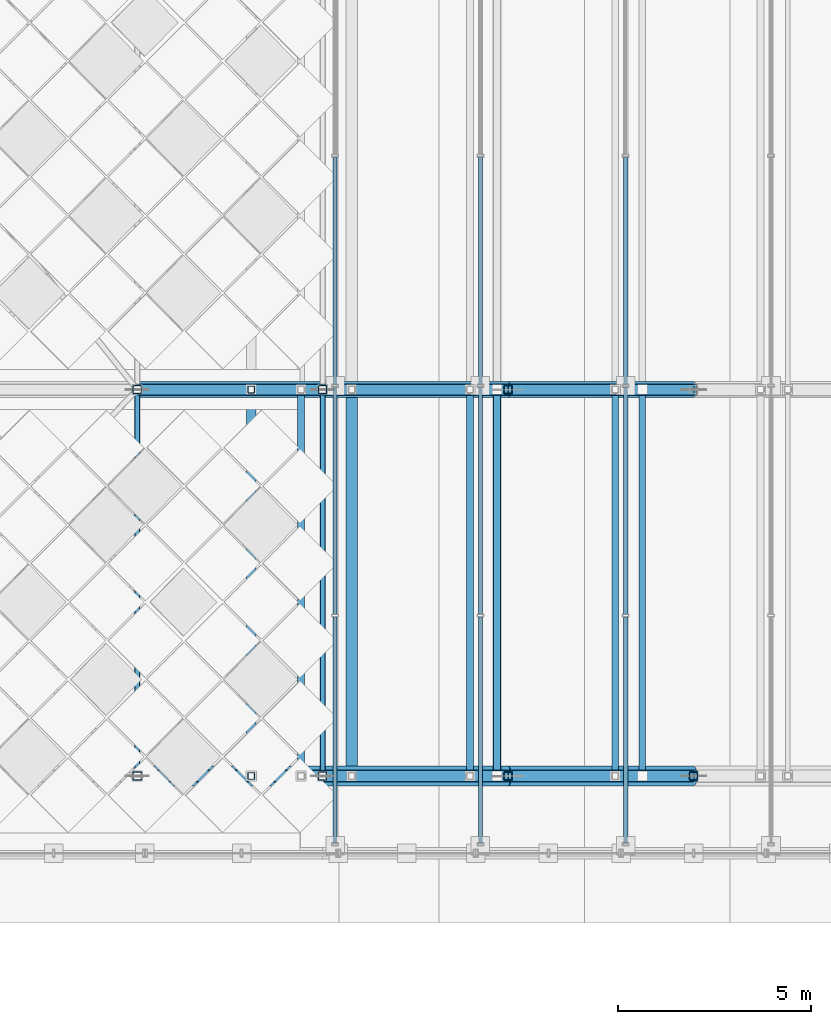
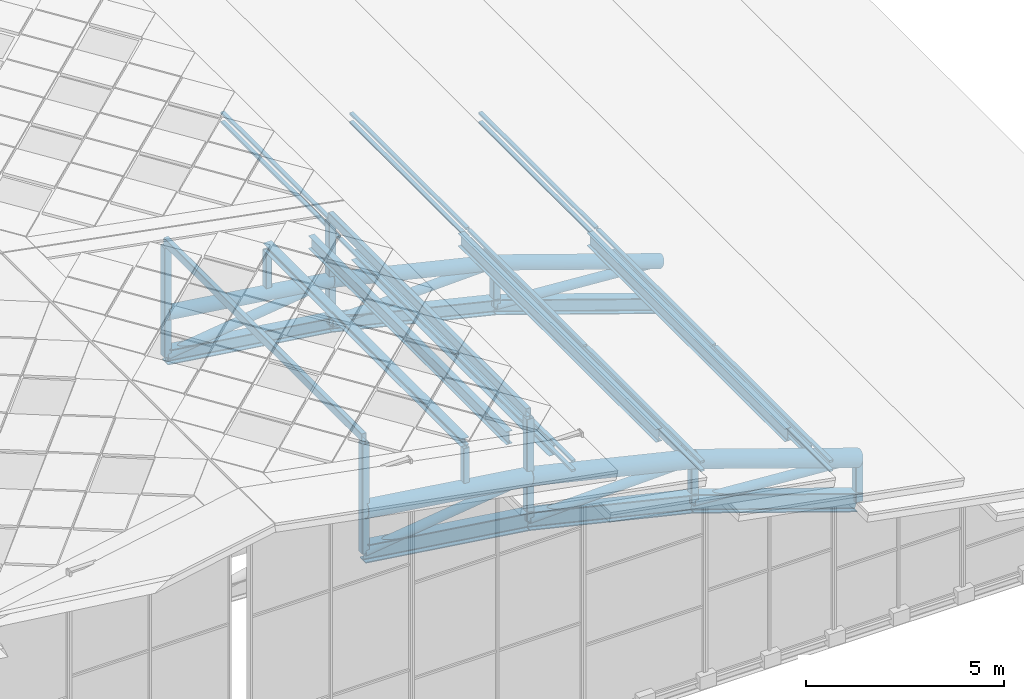
# One storey, part 10 of 117: 54 members, 3 elements without a shape of their own.
"""IFC4 building model written with IfcOpenShell, lengths in metres."""

from ifc_helpers import new_model, si_unit, direction, frame, origin, origin_2d, place, context, subcontext, project, spatial, hollow_rectangle, hollow_circle, i_section, extrude, material, material_profile, profile_set, type_object, element, aggregate, save


model = new_model("IFC4")

# Units and contexts
model_context = context("Model", 3, precision=1e-05, world=origin(), true_north=direction((0.0, 1.0)))
body_context = subcontext(model_context, "Body", "Model", "MODEL_VIEW")
ifc_project = project(units=[si_unit("LENGTHUNIT", "METRE"), si_unit("AREAUNIT", "SQUARE_METRE"), si_unit("VOLUMEUNIT", "CUBIC_METRE"), si_unit("PLANEANGLEUNIT", "RADIAN"), si_unit("MASSUNIT", "GRAM", prefix="KILO")], contexts=[model_context])

# Site, building, storey
site_placement = place(None, origin())
site = spatial("IfcSite", under=ifc_project, at=site_placement, CompositionType="ELEMENT")
building_placement = place(site_placement, origin())
building = spatial("IfcBuilding", under=site, at=building_placement, Name="Merenkruunu Market Hall", CompositionType="ELEMENT")
storey_placement = place(building_placement, frame((0.0, 0.0, 22.800048828125)))
storey = spatial("IfcBuildingStorey", under=building, at=storey_placement, Name="RF", CompositionType="ELEMENT", Elevation=22.800048828125)

# Members
ifc_material_1 = material(Name="Steel S355ML", Category="steel")
ifc_material_profile_1 = material_profile(ifc_material_1, hollow_circle(Radius=0.25390625, WallThickness=0.02001953125, at=origin_2d()), Name="CHS 508x20")
ifc_profile_set_1 = profile_set([ifc_material_profile_1], Name="Steel S355ML")
member_type_1 = type_object("IfcMemberType", Name="Arch Truss Chord TC01", PredefinedType="CHORD", material=ifc_profile_set_1)
member_1_placement = place(storey_placement, frame((33.60009765625, 17.60009765625, -1.66796875), z_axis=(0.99033759622, 0.0, -0.138677487406), x_axis=(0.0, 1.0, 0.0)))
element("IfcMember", 1, at=member_1_placement, inside=storey, type_object=member_type_1, Name="TRUSS-AT-1-TOP-08", PredefinedType="CHORD", context=body_context, shape_type="SweptSolid", body=[
    extrude(hollow_circle(Radius=0.25390625, WallThickness=0.02001953125, at=origin_2d()), origin(), (0.0, 0.0, 1.0), 4.8466796875),
])
member_2_placement = place(storey_placement, frame((38.39990234375, 17.60009765625, -2.340087890625), z_axis=(0.972941974064, 0.0, -0.231049594471), x_axis=(0.0, 1.0, 0.0)))
element("IfcMember", 2, at=member_2_placement, inside=storey, type_object=member_type_1, Name="TRUSS-AT-1-TOP-09", PredefinedType="CHORD", context=body_context, shape_type="SweptSolid", body=[
    extrude(hollow_circle(Radius=0.25390625, WallThickness=0.02001953125, at=origin_2d()), origin(), (0.0, 0.0, 1.0), 4.93359375),
])
member_3_placement = place(storey_placement, frame((43.199951171875, 17.60009765625, -3.47998046875), z_axis=(0.946224865418, 0.0, -0.323509666107), x_axis=(0.0, 1.0, 0.0)))
element("IfcMember", 3, at=member_3_placement, inside=storey, type_object=member_type_1, Name="TRUSS-AT-1-TOP-10", PredefinedType="CHORD", context=body_context, shape_type="SweptSolid", body=[
    extrude(hollow_circle(Radius=0.25390625, WallThickness=0.02001953125, at=origin_2d()), origin(), (0.0, 0.0, 1.0), 5.07275390625),
])
ifc_material_profile_2 = material_profile(ifc_material_1, hollow_circle(Radius=0.203125, WallThickness=0.01611328125, at=origin_2d()), Name="CHS 406.4x16")
ifc_profile_set_2 = profile_set([ifc_material_profile_2], Name="Steel S355ML")
member_type_2 = type_object("IfcMemberType", Name="Arch Truss Chord TC02", PredefinedType="CHORD", material=ifc_profile_set_2)
member_4_placement = place(storey_placement, frame((33.60009765625, 27.60009765625, -1.66796875), z_axis=(0.99033759622, 0.0, -0.138677487406), x_axis=(0.0, 1.0, 0.0)))
element("IfcMember", 4, at=member_4_placement, inside=storey, type_object=member_type_2, Name="TRUSS-AT-2-TOP-08", PredefinedType="CHORD", context=body_context, shape_type="SweptSolid", body=[
    extrude(hollow_circle(Radius=0.203125, WallThickness=0.01611328125, at=origin_2d()), origin(), (0.0, 0.0, 1.0), 4.8466796875),
])
member_5_placement = place(storey_placement, frame((38.39990234375, 27.60009765625, -2.340087890625), z_axis=(0.972941974064, 0.0, -0.231049594471), x_axis=(0.0, 1.0, 0.0)))
element("IfcMember", 5, at=member_5_placement, inside=storey, type_object=member_type_2, Name="TRUSS-AT-2-TOP-09", PredefinedType="CHORD", context=body_context, shape_type="SweptSolid", body=[
    extrude(hollow_circle(Radius=0.203125, WallThickness=0.01611328125, at=origin_2d()), origin(), (0.0, 0.0, 1.0), 4.93359375),
])
member_6_placement = place(storey_placement, frame((43.199951171875, 27.60009765625, -3.47998046875), z_axis=(0.946224865418, 0.0, -0.323509666107), x_axis=(0.0, 1.0, 0.0)))
element("IfcMember", 6, at=member_6_placement, inside=storey, type_object=member_type_2, Name="TRUSS-AT-2-TOP-10", PredefinedType="CHORD", context=body_context, shape_type="SweptSolid", body=[
    extrude(hollow_circle(Radius=0.203125, WallThickness=0.01611328125, at=origin_2d()), origin(), (0.0, 0.0, 1.0), 5.07275390625),
])
ifc_material_profile_3 = material_profile(ifc_material_1, i_section(OverallWidth=0.300048828125, OverallDepth=0.550048828125, WebThickness=0.014892578125, FlangeThickness=0.029052734375, FilletRadius=0.027099609375, at=origin_2d()), Name="HEB 550")
ifc_profile_set_3 = profile_set([ifc_material_profile_3], Name="Steel S355ML")
member_type_3 = type_object("IfcMemberType", Name="Arch Truss Chord TC03", PredefinedType="CHORD", material=ifc_profile_set_3)
member_7_placement = place(storey_placement, frame((33.60009765625, 17.60009765625, -2.968017578125), z_axis=(0.99033759622, 0.0, -0.138677487406), x_axis=(0.0, 1.0, 0.0)))
element("IfcMember", 7, at=member_7_placement, inside=storey, type_object=member_type_3, Name="TRUSS-AT-1-BOT-08", PredefinedType="CHORD", context=body_context, shape_type="SweptSolid", body=[
    extrude(i_section(OverallWidth=0.300048828125, OverallDepth=0.550048828125, WebThickness=0.014892578125, FlangeThickness=0.029052734375, FilletRadius=0.027099609375, at=origin_2d()), origin(), (0.0, 0.0, 1.0), 4.8466796875),
])
member_8_placement = place(storey_placement, frame((38.39990234375, 17.60009765625, -3.64013671875), z_axis=(0.972941974064, 0.0, -0.231049594471), x_axis=(0.0, 1.0, 0.0)))
element("IfcMember", 8, at=member_8_placement, inside=storey, type_object=member_type_3, Name="TRUSS-AT-1-BOT-09", PredefinedType="CHORD", context=body_context, shape_type="SweptSolid", body=[
    extrude(i_section(OverallWidth=0.300048828125, OverallDepth=0.550048828125, WebThickness=0.014892578125, FlangeThickness=0.029052734375, FilletRadius=0.027099609375, at=origin_2d()), origin(), (0.0, 0.0, 1.0), 4.93359375),
])
member_9_placement = place(storey_placement, frame((43.199951171875, 17.60009765625, -4.780029296875), z_axis=(0.946224865418, 0.0, -0.323509666107), x_axis=(0.0, 1.0, 0.0)))
element("IfcMember", 9, at=member_9_placement, inside=storey, type_object=member_type_3, Name="TRUSS-AT-1-BOT-10", PredefinedType="CHORD", context=body_context, shape_type="SweptSolid", body=[
    extrude(i_section(OverallWidth=0.300048828125, OverallDepth=0.550048828125, WebThickness=0.014892578125, FlangeThickness=0.029052734375, FilletRadius=0.027099609375, at=origin_2d()), origin(), (0.0, 0.0, 1.0), 5.07275390625),
])
ifc_material_profile_4 = material_profile(ifc_material_1, i_section(OverallWidth=0.300048828125, OverallDepth=0.449951171875, WebThickness=0.013916015625, FlangeThickness=0.02587890625, FilletRadius=0.027099609375, at=origin_2d()), Name="HEB 450")
ifc_profile_set_4 = profile_set([ifc_material_profile_4], Name="Steel S355ML")
member_type_4 = type_object("IfcMemberType", Name="Arch Truss Chord TC04", PredefinedType="CHORD", material=ifc_profile_set_4)
member_10_placement = place(storey_placement, frame((33.60009765625, 27.60009765625, -2.968017578125), z_axis=(0.99033759622, 0.0, -0.138677487406), x_axis=(0.0, 1.0, 0.0)))
element("IfcMember", 10, at=member_10_placement, inside=storey, type_object=member_type_4, Name="TRUSS-AT-2-BOT-08", PredefinedType="CHORD", context=body_context, shape_type="SweptSolid", body=[
    extrude(i_section(OverallWidth=0.300048828125, OverallDepth=0.449951171875, WebThickness=0.013916015625, FlangeThickness=0.02587890625, FilletRadius=0.027099609375, at=origin_2d()), origin(), (0.0, 0.0, 1.0), 4.8466796875),
])
member_11_placement = place(storey_placement, frame((38.39990234375, 27.60009765625, -3.64013671875), z_axis=(0.972941974064, 0.0, -0.231049594471), x_axis=(0.0, 1.0, 0.0)))
element("IfcMember", 11, at=member_11_placement, inside=storey, type_object=member_type_4, Name="TRUSS-AT-2-BOT-09", PredefinedType="CHORD", context=body_context, shape_type="SweptSolid", body=[
    extrude(i_section(OverallWidth=0.300048828125, OverallDepth=0.449951171875, WebThickness=0.013916015625, FlangeThickness=0.02587890625, FilletRadius=0.027099609375, at=origin_2d()), origin(), (0.0, 0.0, 1.0), 4.93359375),
])
member_12_placement = place(storey_placement, frame((43.199951171875, 27.60009765625, -4.780029296875), z_axis=(0.946224865418, 0.0, -0.323509666107), x_axis=(0.0, 1.0, 0.0)))
element("IfcMember", 12, at=member_12_placement, inside=storey, type_object=member_type_4, Name="TRUSS-AT-2-BOT-10", PredefinedType="CHORD", context=body_context, shape_type="SweptSolid", body=[
    extrude(i_section(OverallWidth=0.300048828125, OverallDepth=0.449951171875, WebThickness=0.013916015625, FlangeThickness=0.02587890625, FilletRadius=0.027099609375, at=origin_2d()), origin(), (0.0, 0.0, 1.0), 5.07275390625),
])

# Curtain wall, members
ifc_material_2 = material(Name="Powder-coated aluminium", Category="aluminium")
curtain_wall_type = type_object("IfcCurtainWallType", Name="Clerestory Curtain Band CL05", PredefinedType="USERDEFINED", material=ifc_material_2)
curtain_wall_1_placement = place(storey_placement, origin())
curtain_wall_1 = element("IfcCurtainWall", 13, at=curtain_wall_1_placement, inside=storey, type_object=curtain_wall_type, Name="CW-RF-CWM04-098", ObjectType="CLERESTORY_BAND", PredefinedType="USERDEFINED")
ifc_material_profile_5 = material_profile(ifc_material_2, hollow_rectangle(XDim=0.06005859375, YDim=0.110107421875, WallThickness=0.00390625, at=origin_2d()), Name="ALU 60x110x4")
ifc_profile_set_5 = profile_set([ifc_material_profile_5], Name="Powder-coated aluminium")
member_type_5 = type_object("IfcMemberType", Name="Curtain Wall Transom CWT03", PredefinedType="USERDEFINED", material=ifc_profile_set_5)
member_13_placement = place(storey_placement, frame((46.239990234375, 33.614990234375, -3.85205078125), z_axis=(0.0, -1.0, 0.0), x_axis=(0.0, 0.0, 1.0)))
member_13 = element("IfcMember", 14, at=member_13_placement, type_object=member_type_5, Name="CL05 transom 2.1", ObjectType="TRANSOM", PredefinedType="USERDEFINED", context=body_context, shape_type="SweptSolid", body=[
    extrude(hollow_rectangle(XDim=0.06005859375, YDim=0.110107421875, WallThickness=0.00390625, at=origin_2d()), origin(), (0.0, 0.0, 1.0), 5.8798828125),
])
member_14_placement = place(storey_placement, frame((46.239990234375, 33.614990234375, -3.56396484375), z_axis=(0.0, -1.0, 0.0), x_axis=(0.0, 0.0, 1.0)))
member_14 = element("IfcMember", 15, at=member_14_placement, type_object=member_type_5, Name="CL05 transom 2.2", ObjectType="TRANSOM", PredefinedType="USERDEFINED", context=body_context, shape_type="SweptSolid", body=[
    extrude(hollow_rectangle(XDim=0.06005859375, YDim=0.110107421875, WallThickness=0.00390625, at=origin_2d()), origin(), (0.0, 0.0, 1.0), 5.8798828125),
])
member_15_placement = place(storey_placement, frame((46.239990234375, 27.6650390625, -3.85205078125), z_axis=(0.0, -1.0, 0.0), x_axis=(0.0, 0.0, 1.0)))
member_15 = element("IfcMember", 16, at=member_15_placement, type_object=member_type_5, Name="CL05 transom 3.1", ObjectType="TRANSOM", PredefinedType="USERDEFINED", context=body_context, shape_type="SweptSolid", body=[
    extrude(hollow_rectangle(XDim=0.06005859375, YDim=0.110107421875, WallThickness=0.00390625, at=origin_2d()), origin(), (0.0, 0.0, 1.0), 5.880126953125),
])
member_16_placement = place(storey_placement, frame((46.239990234375, 27.6650390625, -3.56396484375), z_axis=(0.0, -1.0, 0.0), x_axis=(0.0, 0.0, 1.0)))
member_16 = element("IfcMember", 17, at=member_16_placement, type_object=member_type_5, Name="CL05 transom 3.2", ObjectType="TRANSOM", PredefinedType="USERDEFINED", context=body_context, shape_type="SweptSolid", body=[
    extrude(hollow_rectangle(XDim=0.06005859375, YDim=0.110107421875, WallThickness=0.00390625, at=origin_2d()), origin(), (0.0, 0.0, 1.0), 5.880126953125),
])
member_17_placement = place(storey_placement, frame((46.239990234375, 21.715087890625, -3.85205078125), z_axis=(0.0, -1.0, 0.0), x_axis=(0.0, 0.0, 1.0)))
member_17 = element("IfcMember", 18, at=member_17_placement, type_object=member_type_5, Name="CL05 transom 4.1", ObjectType="TRANSOM", PredefinedType="USERDEFINED", context=body_context, shape_type="SweptSolid", body=[
    extrude(hollow_rectangle(XDim=0.06005859375, YDim=0.110107421875, WallThickness=0.00390625, at=origin_2d()), origin(), (0.0, 0.0, 1.0), 5.844970703125),
])
member_18_placement = place(storey_placement, frame((46.239990234375, 21.715087890625, -3.56396484375), z_axis=(0.0, -1.0, 0.0), x_axis=(0.0, 0.0, 1.0)))
member_18 = element("IfcMember", 19, at=member_18_placement, type_object=member_type_5, Name="CL05 transom 4.2", ObjectType="TRANSOM", PredefinedType="USERDEFINED", context=body_context, shape_type="SweptSolid", body=[
    extrude(hollow_rectangle(XDim=0.06005859375, YDim=0.110107421875, WallThickness=0.00390625, at=origin_2d()), origin(), (0.0, 0.0, 1.0), 5.844970703125),
])
aggregate(curtain_wall_1, [member_13, member_14, member_15, member_16, member_17, member_18])

curtain_wall_2_placement = place(storey_placement, origin())
curtain_wall_2 = element("IfcCurtainWall", 20, at=curtain_wall_2_placement, inside=storey, type_object=curtain_wall_type, Name="CW-RF-CWM04-106", ObjectType="CLERESTORY_BAND", PredefinedType="USERDEFINED")
member_19_placement = place(storey_placement, frame((42.47998046875, 33.614990234375, -2.531982421875), z_axis=(0.0, -1.0, 0.0), x_axis=(0.0, 0.0, 1.0)))
member_19 = element("IfcMember", 21, at=member_19_placement, type_object=member_type_5, Name="CL05 transom 2.1", ObjectType="TRANSOM", PredefinedType="USERDEFINED", context=body_context, shape_type="SweptSolid", body=[
    extrude(hollow_rectangle(XDim=0.06005859375, YDim=0.110107421875, WallThickness=0.00390625, at=origin_2d()), origin(), (0.0, 0.0, 1.0), 5.8798828125),
])
member_20_placement = place(storey_placement, frame((42.47998046875, 33.614990234375, -2.26513671875), z_axis=(0.0, -1.0, 0.0), x_axis=(0.0, 0.0, 1.0)))
member_20 = element("IfcMember", 22, at=member_20_placement, type_object=member_type_5, Name="CL05 transom 2.2", ObjectType="TRANSOM", PredefinedType="USERDEFINED", context=body_context, shape_type="SweptSolid", body=[
    extrude(hollow_rectangle(XDim=0.06005859375, YDim=0.110107421875, WallThickness=0.00390625, at=origin_2d()), origin(), (0.0, 0.0, 1.0), 5.8798828125),
])
member_21_placement = place(storey_placement, frame((42.47998046875, 27.6650390625, -2.531982421875), z_axis=(0.0, -1.0, 0.0), x_axis=(0.0, 0.0, 1.0)))
member_21 = element("IfcMember", 23, at=member_21_placement, type_object=member_type_5, Name="CL05 transom 3.1", ObjectType="TRANSOM", PredefinedType="USERDEFINED", context=body_context, shape_type="SweptSolid", body=[
    extrude(hollow_rectangle(XDim=0.06005859375, YDim=0.110107421875, WallThickness=0.00390625, at=origin_2d()), origin(), (0.0, 0.0, 1.0), 5.880126953125),
])
member_22_placement = place(storey_placement, frame((42.47998046875, 27.6650390625, -2.26513671875), z_axis=(0.0, -1.0, 0.0), x_axis=(0.0, 0.0, 1.0)))
member_22 = element("IfcMember", 24, at=member_22_placement, type_object=member_type_5, Name="CL05 transom 3.2", ObjectType="TRANSOM", PredefinedType="USERDEFINED", context=body_context, shape_type="SweptSolid", body=[
    extrude(hollow_rectangle(XDim=0.06005859375, YDim=0.110107421875, WallThickness=0.00390625, at=origin_2d()), origin(), (0.0, 0.0, 1.0), 5.880126953125),
])
member_23_placement = place(storey_placement, frame((42.47998046875, 21.715087890625, -2.531982421875), z_axis=(0.0, -1.0, 0.0), x_axis=(0.0, 0.0, 1.0)))
member_23 = element("IfcMember", 25, at=member_23_placement, type_object=member_type_5, Name="CL05 transom 4.1", ObjectType="TRANSOM", PredefinedType="USERDEFINED", context=body_context, shape_type="SweptSolid", body=[
    extrude(hollow_rectangle(XDim=0.06005859375, YDim=0.110107421875, WallThickness=0.00390625, at=origin_2d()), origin(), (0.0, 0.0, 1.0), 5.844970703125),
])
member_24_placement = place(storey_placement, frame((42.47998046875, 21.715087890625, -2.26513671875), z_axis=(0.0, -1.0, 0.0), x_axis=(0.0, 0.0, 1.0)))
member_24 = element("IfcMember", 26, at=member_24_placement, type_object=member_type_5, Name="CL05 transom 4.2", ObjectType="TRANSOM", PredefinedType="USERDEFINED", context=body_context, shape_type="SweptSolid", body=[
    extrude(hollow_rectangle(XDim=0.06005859375, YDim=0.110107421875, WallThickness=0.00390625, at=origin_2d()), origin(), (0.0, 0.0, 1.0), 5.844970703125),
])
aggregate(curtain_wall_2, [member_19, member_20, member_21, member_22, member_23, member_24])

curtain_wall_3_placement = place(storey_placement, origin())
curtain_wall_3 = element("IfcCurtainWall", 27, at=curtain_wall_3_placement, inside=storey, type_object=curtain_wall_type, Name="CW-RF-CWM04-114", ObjectType="CLERESTORY_BAND", PredefinedType="USERDEFINED")
member_25_placement = place(storey_placement, frame((38.719970703125, 33.614990234375, -1.212158203125), z_axis=(0.0, -1.0, 0.0), x_axis=(0.0, 0.0, 1.0)))
member_25 = element("IfcMember", 28, at=member_25_placement, type_object=member_type_5, Name="CL05 transom 2.1", ObjectType="TRANSOM", PredefinedType="USERDEFINED", context=body_context, shape_type="SweptSolid", body=[
    extrude(hollow_rectangle(XDim=0.06005859375, YDim=0.110107421875, WallThickness=0.00390625, at=origin_2d()), origin(), (0.0, 0.0, 1.0), 5.8798828125),
])
member_26_placement = place(storey_placement, frame((38.719970703125, 33.614990234375, -0.924072265625), z_axis=(0.0, -1.0, 0.0), x_axis=(0.0, 0.0, 1.0)))
member_26 = element("IfcMember", 29, at=member_26_placement, type_object=member_type_5, Name="CL05 transom 2.2", ObjectType="TRANSOM", PredefinedType="USERDEFINED", context=body_context, shape_type="SweptSolid", body=[
    extrude(hollow_rectangle(XDim=0.06005859375, YDim=0.110107421875, WallThickness=0.00390625, at=origin_2d()), origin(), (0.0, 0.0, 1.0), 5.8798828125),
])
member_27_placement = place(storey_placement, frame((38.719970703125, 27.6650390625, -1.212158203125), z_axis=(0.0, -1.0, 0.0), x_axis=(0.0, 0.0, 1.0)))
member_27 = element("IfcMember", 30, at=member_27_placement, type_object=member_type_5, Name="CL05 transom 3.1", ObjectType="TRANSOM", PredefinedType="USERDEFINED", context=body_context, shape_type="SweptSolid", body=[
    extrude(hollow_rectangle(XDim=0.06005859375, YDim=0.110107421875, WallThickness=0.00390625, at=origin_2d()), origin(), (0.0, 0.0, 1.0), 5.880126953125),
])
member_28_placement = place(storey_placement, frame((38.719970703125, 27.6650390625, -0.924072265625), z_axis=(0.0, -1.0, 0.0), x_axis=(0.0, 0.0, 1.0)))
member_28 = element("IfcMember", 31, at=member_28_placement, type_object=member_type_5, Name="CL05 transom 3.2", ObjectType="TRANSOM", PredefinedType="USERDEFINED", context=body_context, shape_type="SweptSolid", body=[
    extrude(hollow_rectangle(XDim=0.06005859375, YDim=0.110107421875, WallThickness=0.00390625, at=origin_2d()), origin(), (0.0, 0.0, 1.0), 5.880126953125),
])
member_29_placement = place(storey_placement, frame((38.719970703125, 21.715087890625, -1.212158203125), z_axis=(0.0, -1.0, 0.0), x_axis=(0.0, 0.0, 1.0)))
member_29 = element("IfcMember", 32, at=member_29_placement, type_object=member_type_5, Name="CL05 transom 4.1", ObjectType="TRANSOM", PredefinedType="USERDEFINED", context=body_context, shape_type="SweptSolid", body=[
    extrude(hollow_rectangle(XDim=0.06005859375, YDim=0.110107421875, WallThickness=0.00390625, at=origin_2d()), origin(), (0.0, 0.0, 1.0), 5.844970703125),
])
member_30_placement = place(storey_placement, frame((38.719970703125, 21.715087890625, -0.924072265625), z_axis=(0.0, -1.0, 0.0), x_axis=(0.0, 0.0, 1.0)))
member_30 = element("IfcMember", 33, at=member_30_placement, type_object=member_type_5, Name="CL05 transom 4.2", ObjectType="TRANSOM", PredefinedType="USERDEFINED", context=body_context, shape_type="SweptSolid", body=[
    extrude(hollow_rectangle(XDim=0.06005859375, YDim=0.110107421875, WallThickness=0.00390625, at=origin_2d()), origin(), (0.0, 0.0, 1.0), 5.844970703125),
])
aggregate(curtain_wall_3, [member_25, member_26, member_27, member_28, member_29, member_30])

# Members
ifc_material_profile_6 = material_profile(ifc_material_1, hollow_circle(Radius=0.136474609375, WallThickness=0.012451171875, at=origin_2d()), Name="CHS 273x12.5")
ifc_profile_set_6 = profile_set([ifc_material_profile_6], Name="Steel S355ML")
member_type_6 = type_object("IfcMemberType", Name="Diagonal Sway Brace BR02", PredefinedType="BRACE", material=ifc_profile_set_6)
member_31_placement = place(storey_placement, frame((33.60009765625, 17.60009765625, -2.968017578125), z_axis=(0.99155084109, 0.0, 0.129718655304), x_axis=(0.0, 1.0, 0.0)))
element("IfcMember", 34, at=member_31_placement, inside=storey, type_object=member_type_6, Name="TRUSS-AT-1-DIAG-08", PredefinedType="BRACE", context=body_context, shape_type="SweptSolid", body=[
    extrude(hollow_circle(Radius=0.136474609375, WallThickness=0.012451171875, at=origin_2d()), origin(), (0.0, 0.0, 1.0), 4.8408203125),
])
member_32_placement = place(storey_placement, frame((38.39990234375, 17.60009765625, -3.64013671875), z_axis=(0.999443834494, 0.0, 0.033346989239), x_axis=(0.0, 1.0, 0.0)))
element("IfcMember", 35, at=member_32_placement, inside=storey, type_object=member_type_6, Name="TRUSS-AT-1-DIAG-09", PredefinedType="BRACE", context=body_context, shape_type="SweptSolid", body=[
    extrude(hollow_circle(Radius=0.136474609375, WallThickness=0.012451171875, at=origin_2d()), origin(), (0.0, 0.0, 1.0), 4.802734375),
])
member_33_placement = place(storey_placement, frame((43.199951171875, 17.60009765625, -4.780029296875), z_axis=(0.997485156704, 0.0, -0.070875680989), x_axis=(0.0, 1.0, 0.0)))
element("IfcMember", 36, at=member_33_placement, inside=storey, type_object=member_type_6, Name="TRUSS-AT-1-DIAG-10", PredefinedType="BRACE", context=body_context, shape_type="SweptSolid", body=[
    extrude(hollow_circle(Radius=0.136474609375, WallThickness=0.012451171875, at=origin_2d()), origin(), (0.0, 0.0, 1.0), 4.812255859375),
])
member_34_placement = place(storey_placement, frame((33.60009765625, 27.60009765625, -2.968017578125), z_axis=(0.99155084109, 0.0, 0.129718655304), x_axis=(0.0, 1.0, 0.0)))
element("IfcMember", 37, at=member_34_placement, inside=storey, type_object=member_type_6, Name="TRUSS-AT-2-DIAG-08", PredefinedType="BRACE", context=body_context, shape_type="SweptSolid", body=[
    extrude(hollow_circle(Radius=0.136474609375, WallThickness=0.012451171875, at=origin_2d()), origin(), (0.0, 0.0, 1.0), 4.8408203125),
])
member_35_placement = place(storey_placement, frame((38.39990234375, 27.60009765625, -3.64013671875), z_axis=(0.999443834494, 0.0, 0.033346989239), x_axis=(0.0, 1.0, 0.0)))
element("IfcMember", 38, at=member_35_placement, inside=storey, type_object=member_type_6, Name="TRUSS-AT-2-DIAG-09", PredefinedType="BRACE", context=body_context, shape_type="SweptSolid", body=[
    extrude(hollow_circle(Radius=0.136474609375, WallThickness=0.012451171875, at=origin_2d()), origin(), (0.0, 0.0, 1.0), 4.802734375),
])
member_36_placement = place(storey_placement, frame((43.199951171875, 27.60009765625, -4.780029296875), z_axis=(0.997485156704, 0.0, -0.070875680989), x_axis=(0.0, 1.0, 0.0)))
element("IfcMember", 39, at=member_36_placement, inside=storey, type_object=member_type_6, Name="TRUSS-AT-2-DIAG-10", PredefinedType="BRACE", context=body_context, shape_type="SweptSolid", body=[
    extrude(hollow_circle(Radius=0.136474609375, WallThickness=0.012451171875, at=origin_2d()), origin(), (0.0, 0.0, 1.0), 4.812255859375),
])
ifc_material_3 = material(Name="Steel S355J2", Category="steel")
ifc_material_profile_7 = material_profile(ifc_material_3, hollow_rectangle(XDim=0.219970703125, YDim=0.219970703125, WallThickness=0.012451171875, InnerFilletRadius=0.012451171875, OuterFilletRadius=0.02490234375, at=origin_2d()), Name="SHS 220x220x12.5")
ifc_profile_set_7 = profile_set([ifc_material_profile_7], Name="Steel S355J2")
member_type_7 = type_object("IfcMemberType", Name="Diagonal Sway Brace BR04", PredefinedType="BRACE", material=ifc_profile_set_7)
member_37_placement = place(storey_placement, frame((33.60009765625, 17.60009765625, -2.968017578125), z_axis=(0.0, 0.0, 1.0), x_axis=(1.0, 0.0, 0.0)))
element("IfcMember", 40, at=member_37_placement, inside=storey, type_object=member_type_7, Name="TRUSS-AT-1-POST-07", PredefinedType="BRACE", context=body_context, shape_type="SweptSolid", body=[
    extrude(hollow_rectangle(XDim=0.219970703125, YDim=0.219970703125, WallThickness=0.012451171875, InnerFilletRadius=0.012451171875, OuterFilletRadius=0.02490234375, at=origin_2d()), origin(), (0.0, 0.0, 1.0), 3.3720703125),
])
member_38_placement = place(storey_placement, frame((38.39990234375, 17.60009765625, -3.64013671875), z_axis=(0.0, 0.0, 1.0), x_axis=(1.0, 0.0, 0.0)))
element("IfcMember", 41, at=member_38_placement, inside=storey, type_object=member_type_7, Name="TRUSS-AT-1-POST-08", PredefinedType="BRACE", context=body_context, shape_type="SweptSolid", body=[
    extrude(hollow_rectangle(XDim=0.219970703125, YDim=0.219970703125, WallThickness=0.012451171875, InnerFilletRadius=0.012451171875, OuterFilletRadius=0.02490234375, at=origin_2d()), origin(), (0.0, 0.0, 1.0), 3.1416015625),
])
for number, where, z_axis, x_axis, name in (
    (42, (43.199951171875, 17.60009765625, -4.780029296875), (0.0, 0.0, 1.0), (1.0, 0.0, 0.0), "TRUSS-AT-1-POST-09"),
    (43, (48.0, 17.60009765625, -6.421142578125), (0.0, 0.0, 1.0), (1.0, 0.0, 0.0), "TRUSS-AT-1-POST-10"),
):
    element("IfcMember", number, at=place(storey_placement, frame(where, z_axis=z_axis, x_axis=x_axis)), inside=storey, type_object=member_type_7, Name=name, PredefinedType="BRACE", context=body_context, shape_type="SweptSolid", body=[
        extrude(hollow_rectangle(XDim=0.219970703125, YDim=0.219970703125, WallThickness=0.012451171875, InnerFilletRadius=0.012451171875, OuterFilletRadius=0.02490234375, at=origin_2d()), origin(), (0.0, 0.0, 1.0), 1.300048828125),
    ])
member_39_placement = place(storey_placement, frame((33.60009765625, 27.60009765625, -2.968017578125), z_axis=(0.0, 0.0, 1.0), x_axis=(1.0, 0.0, 0.0)))
element("IfcMember", 44, at=member_39_placement, inside=storey, type_object=member_type_7, Name="TRUSS-AT-2-POST-07", PredefinedType="BRACE", context=body_context, shape_type="SweptSolid", body=[
    extrude(hollow_rectangle(XDim=0.219970703125, YDim=0.219970703125, WallThickness=0.012451171875, InnerFilletRadius=0.012451171875, OuterFilletRadius=0.02490234375, at=origin_2d()), origin(), (0.0, 0.0, 1.0), 3.3720703125),
])
member_40_placement = place(storey_placement, frame((38.39990234375, 27.60009765625, -3.64013671875), z_axis=(0.0, 0.0, 1.0), x_axis=(1.0, 0.0, 0.0)))
element("IfcMember", 45, at=member_40_placement, inside=storey, type_object=member_type_7, Name="TRUSS-AT-2-POST-08", PredefinedType="BRACE", context=body_context, shape_type="SweptSolid", body=[
    extrude(hollow_rectangle(XDim=0.219970703125, YDim=0.219970703125, WallThickness=0.012451171875, InnerFilletRadius=0.012451171875, OuterFilletRadius=0.02490234375, at=origin_2d()), origin(), (0.0, 0.0, 1.0), 3.1416015625),
])
member_41_placement = place(storey_placement, frame((43.199951171875, 27.60009765625, -4.780029296875), z_axis=(0.0, 0.0, 1.0), x_axis=(1.0, 0.0, 0.0)))
element("IfcMember", 46, at=member_41_placement, inside=storey, type_object=member_type_7, Name="TRUSS-AT-2-POST-09", PredefinedType="BRACE", context=body_context, shape_type="SweptSolid", body=[
    extrude(hollow_rectangle(XDim=0.219970703125, YDim=0.219970703125, WallThickness=0.012451171875, InnerFilletRadius=0.012451171875, OuterFilletRadius=0.02490234375, at=origin_2d()), origin(), (0.0, 0.0, 1.0), 1.300048828125),
])
ifc_material_profile_8 = material_profile(ifc_material_3, hollow_rectangle(XDim=0.179931640625, YDim=0.179931640625, WallThickness=0.010009765625, InnerFilletRadius=0.010009765625, OuterFilletRadius=0.02001953125, at=origin_2d()), Name="SHS 180x180x10")
ifc_profile_set_8 = profile_set([ifc_material_profile_8], Name="Steel S355J2")
member_type_8 = type_object("IfcMemberType", Name="Diagonal Sway Brace BR05", PredefinedType="BRACE", material=ifc_profile_set_8)
member_42_placement = place(storey_placement, frame((36.550048828125, 17.60009765625, -1.839111328125), z_axis=(0.0, 0.0, 1.0), x_axis=(1.0, 0.0, 0.0)))
element("IfcMember", 47, at=member_42_placement, inside=storey, type_object=member_type_8, Name="TRUSS-AT-1-RISER-E6-2", PredefinedType="BRACE", context=body_context, shape_type="SweptSolid", body=[
    extrude(hollow_rectangle(XDim=0.179931640625, YDim=0.179931640625, WallThickness=0.010009765625, InnerFilletRadius=0.010009765625, OuterFilletRadius=0.02001953125, at=origin_2d()), origin(), (0.0, 0.0, 1.0), 1.07763671875),
])
member_43_placement = place(storey_placement, frame((36.550048828125, 27.60009765625, -1.889892578125), z_axis=(0.0, 0.0, 1.0), x_axis=(1.0, 0.0, 0.0)))
element("IfcMember", 48, at=member_43_placement, inside=storey, type_object=member_type_8, Name="TRUSS-AT-2-RISER-E6-2", PredefinedType="BRACE", context=body_context, shape_type="SweptSolid", body=[
    extrude(hollow_rectangle(XDim=0.179931640625, YDim=0.179931640625, WallThickness=0.010009765625, InnerFilletRadius=0.010009765625, OuterFilletRadius=0.02001953125, at=origin_2d()), origin(), (0.0, 0.0, 1.0), 1.12841796875),
])
ifc_material_profile_9 = material_profile(ifc_material_1, i_section(OverallWidth=0.169921875, OverallDepth=0.360107421875, WebThickness=0.008056640625, FlangeThickness=0.0126953125, FilletRadius=0.01806640625, at=origin_2d()), Name="IPE 360")
ifc_profile_set_9 = profile_set([ifc_material_profile_9], Name="Steel S355ML")
member_type_9 = type_object("IfcMemberType", Name="Roof Purlin Rafter PR03", PredefinedType="PURLIN", material=ifc_profile_set_9)
member_44_placement = place(storey_placement, frame((46.669921875, 17.60009765625, -4.452392578125), z_axis=(0.0, 1.0, 0.0), x_axis=(-1.0, 0.0, 0.0)))
element("IfcMember", 49, at=member_44_placement, inside=storey, type_object=member_type_9, Name="MEM-RF-PURL-E-082", PredefinedType="PURLIN", context=body_context, shape_type="SweptSolid", body=[
    extrude(i_section(OverallWidth=0.169921875, OverallDepth=0.360107421875, WebThickness=0.008056640625, FlangeThickness=0.0126953125, FilletRadius=0.01806640625, at=origin_2d()), origin(), (0.0, 0.0, 1.0), 10.0),
])
ifc_material_profile_10 = material_profile(ifc_material_1, hollow_rectangle(XDim=0.14990234375, YDim=0.25, WallThickness=0.010009765625, InnerFilletRadius=0.010009765625, OuterFilletRadius=0.02001953125, at=origin_2d()), Name="RHS 250x150x10")
ifc_profile_set_10 = profile_set([ifc_material_profile_10], Name="Steel S355ML")
member_type_10 = type_object("IfcMemberType", Name="Roof Purlin Rafter PR04", PredefinedType="PURLIN", material=ifc_profile_set_10)
for number, where, z_axis, x_axis, name in (
    (50, (38.39990234375, 17.60009765625, -0.35546875), (0.0, 1.0, 0.0), (-1.0, 0.0, 0.0), "MEM-CROWN-EAVE-008"),
    (51, (33.60009765625, 17.60009765625, 0.546875), (0.0, 1.0, 0.0), (-1.0, 0.0, 0.0), "MEM-CROWN-MID-009"),
):
    element("IfcMember", number, at=place(storey_placement, frame(where, z_axis=z_axis, x_axis=x_axis)), inside=storey, type_object=member_type_10, Name=name, PredefinedType="PURLIN", context=body_context, shape_type="SweptSolid", body=[
        extrude(hollow_rectangle(XDim=0.14990234375, YDim=0.25, WallThickness=0.010009765625, InnerFilletRadius=0.010009765625, OuterFilletRadius=0.02001953125, at=origin_2d()), origin(), (0.0, 0.0, 1.0), 10.0),
    ])
ifc_material_profile_11 = material_profile(ifc_material_1, hollow_rectangle(XDim=0.199951171875, YDim=0.35009765625, WallThickness=0.012451171875, InnerFilletRadius=0.012451171875, OuterFilletRadius=0.02490234375, at=origin_2d()), Name="RHS 350x200x12.5")
ifc_profile_set_11 = profile_set([ifc_material_profile_11], Name="Steel S355ML")
member_type_11 = type_object("IfcMemberType", Name="Roof Purlin Rafter PR06", PredefinedType="PURLIN", material=ifc_profile_set_11)
member_45_placement = place(storey_placement, frame((42.909912109375, 17.60009765625, -3.10986328125), z_axis=(0.0, 1.0, 0.0), x_axis=(-1.0, 0.0, 0.0)))
element("IfcMember", 52, at=member_45_placement, inside=storey, type_object=member_type_11, Name="MEM-RF-PURL-E-114", PredefinedType="PURLIN", context=body_context, shape_type="SweptSolid", body=[
    extrude(hollow_rectangle(XDim=0.199951171875, YDim=0.35009765625, WallThickness=0.012451171875, InnerFilletRadius=0.012451171875, OuterFilletRadius=0.02490234375, at=origin_2d()), origin(), (0.0, 0.0, 1.0), 10.0),
])
ifc_material_profile_12 = material_profile(ifc_material_1, i_section(OverallWidth=0.300048828125, OverallDepth=0.2900390625, WebThickness=0.008544921875, FlangeThickness=0.013916015625, FilletRadius=0.027099609375, at=origin_2d()), Name="HEA 300")
ifc_profile_set_12 = profile_set([ifc_material_profile_12], Name="Steel S355ML")
member_type_12 = type_object("IfcMemberType", Name="Roof Purlin Rafter PR07", PredefinedType="PURLIN", material=ifc_profile_set_12)
member_46_placement = place(storey_placement, frame((39.14990234375, 17.60009765625, -1.789306640625), z_axis=(0.0, 1.0, 0.0), x_axis=(-1.0, 0.0, 0.0)))
element("IfcMember", 53, at=member_46_placement, inside=storey, type_object=member_type_12, Name="MEM-RF-PURL-E-146", PredefinedType="PURLIN", context=body_context, shape_type="SweptSolid", body=[
    extrude(i_section(OverallWidth=0.300048828125, OverallDepth=0.2900390625, WebThickness=0.008544921875, FlangeThickness=0.013916015625, FilletRadius=0.027099609375, at=origin_2d()), origin(), (0.0, 0.0, 1.0), 10.0),
])
ifc_material_profile_13 = material_profile(ifc_material_1, i_section(OverallWidth=0.239990234375, OverallDepth=0.22998046875, WebThickness=0.007568359375, FlangeThickness=0.011962890625, FilletRadius=0.02099609375, at=origin_2d()), Name="HEA 240")
ifc_profile_set_13 = profile_set([ifc_material_profile_13], Name="Steel S355ML")
member_type_13 = type_object("IfcMemberType", Name="Roof Purlin Rafter PR08", PredefinedType="PURLIN", material=ifc_profile_set_13)
member_47_placement = place(storey_placement, frame((36.550048828125, 17.60009765625, -0.62841796875), z_axis=(0.0, 1.0, 0.0), x_axis=(-1.0, 0.0, 0.0)))
element("IfcMember", 54, at=member_47_placement, inside=storey, type_object=member_type_13, Name="MEM-RF-PURL-E-178", PredefinedType="PURLIN", context=body_context, shape_type="SweptSolid", body=[
    extrude(i_section(OverallWidth=0.239990234375, OverallDepth=0.22998046875, WebThickness=0.007568359375, FlangeThickness=0.011962890625, FilletRadius=0.02099609375, at=origin_2d()), origin(), (0.0, 0.0, 1.0), 10.0),
])
ifc_material_profile_14 = material_profile(ifc_material_1, i_section(OverallWidth=0.179931640625, OverallDepth=0.39990234375, WebThickness=0.008544921875, FlangeThickness=0.013427734375, FilletRadius=0.02099609375, at=origin_2d()), Name="IPE 400")
ifc_profile_set_14 = profile_set([ifc_material_profile_14], Name="Steel S355ML")
member_type_14 = type_object("IfcMemberType", Name="Roof Purlin Rafter PR09", PredefinedType="PURLIN", material=ifc_profile_set_14)
for number, where, z_axis, x_axis, name in (
    (55, (45.969970703125, 17.60009765625, -3.699951171875), (0.0, 1.0, 0.0), (-1.0, 0.0, 0.0), "MEM-RF-PURL-E-098"),
    (56, (42.2099609375, 17.60009765625, -2.400390625), (0.0, 1.0, 0.0), (-1.0, 0.0, 0.0), "MEM-RF-PURL-E-130"),
    (57, (37.840087890625, 17.60009765625, -0.947021484375), (0.0, 1.0, 0.0), (-1.0, 0.0, 0.0), "MEM-RF-PURL-E-162"),
):
    element("IfcMember", number, at=place(storey_placement, frame(where, z_axis=z_axis, x_axis=x_axis)), inside=storey, type_object=member_type_14, Name=name, PredefinedType="PURLIN", context=body_context, shape_type="SweptSolid", body=[
        extrude(i_section(OverallWidth=0.179931640625, OverallDepth=0.39990234375, WebThickness=0.008544921875, FlangeThickness=0.013427734375, FilletRadius=0.02099609375, at=origin_2d()), origin(), (0.0, 0.0, 1.0), 10.0),
    ])

save(model, "model.ifc")
